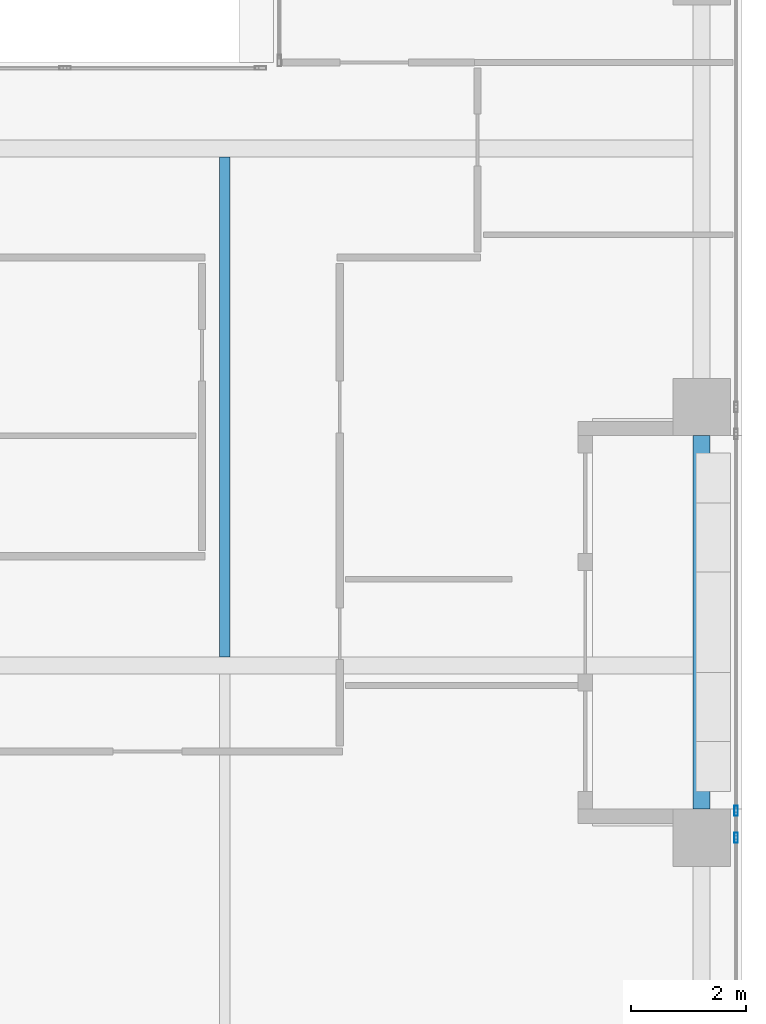
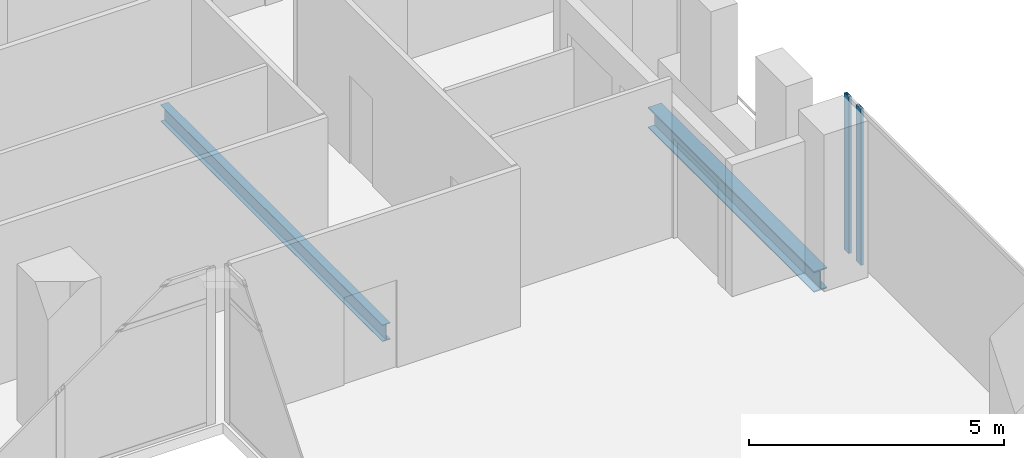
# One storey, part 16 of 38: 2 beams, 2 members, 1 element without a shape of its own.
"""IFC4 building model written with IfcOpenShell, lengths in metres."""

from ifc_helpers import new_model, si_unit, direction, frame, origin, origin_2d, place, context, subcontext, project, spatial, hollow_rectangle, i_section, extrude, source, transform, mapped, material, material_profile, profile_set, type_object, element, aggregate, save


model = new_model("IFC4")

# Units and contexts
model_context = context("Model", 3, precision=1e-05, world=origin(), true_north=direction((0.0, 1.0)))
body_context = subcontext(model_context, "Body", "Model", "MODEL_VIEW")
ifc_project = project(units=[si_unit("LENGTHUNIT", "METRE"), si_unit("AREAUNIT", "SQUARE_METRE"), si_unit("VOLUMEUNIT", "CUBIC_METRE"), si_unit("PLANEANGLEUNIT", "RADIAN"), si_unit("MASSUNIT", "GRAM", prefix="KILO")], contexts=[model_context])

# Site, building, storey
site_placement = place(None, origin())
site = spatial("IfcSite", under=ifc_project, at=site_placement, CompositionType="ELEMENT")
building_placement = place(site_placement, origin())
building = spatial("IfcBuilding", under=site, at=building_placement, Name="Khomas Fold Tower", CompositionType="ELEMENT")
storey_placement = place(building_placement, frame((0.0, 0.0, 172.699951171875)))
storey = spatial("IfcBuildingStorey", under=building, at=storey_placement, Name="L37", CompositionType="ELEMENT", Elevation=172.699951171875)

# Beams
ifc_material_1 = material(Name="Steel S355", Category="steel")
ifc_material_profile_1 = material_profile(ifc_material_1, i_section(OverallWidth=0.179931640625, OverallDepth=0.39990234375, WebThickness=0.008544921875, FlangeThickness=0.013427734375, at=origin_2d()), Name="IPE 400")
ifc_profile_set_1 = profile_set([ifc_material_profile_1], Name="Steel S355")
beam_type_1 = type_object("IfcBeamType", Name="IPE 400 beam JB3", PredefinedType="BEAM", material=ifc_profile_set_1)
shared_shape_1 = source(origin(), body_context, "Body", "SweptSolid", [
    extrude(i_section(OverallWidth=0.179931640625, OverallDepth=0.39990234375, WebThickness=0.008544921875, FlangeThickness=0.013427734375, at=origin_2d()), origin(), (0.0, 0.0, 1.0), 8.7001953125),
])
beam_1_placement = place(storey_placement, frame((42.0, 22.64990234375, -0.449951171875), z_axis=(0.0, 1.0, 0.0), x_axis=(-1.0, 0.0, 0.0)))
element("IfcBeam", 1, at=beam_1_placement, inside=storey, type_object=beam_type_1, Name="JB3", PredefinedType="BEAM", context=body_context, shape_type="MappedRepresentation", body=[
    mapped(shared_shape_1, transform((0.0, 0.0, 0.0))),
])
ifc_material_2 = material(Name="Steel S355", Category="steel")
ifc_material_profile_2 = material_profile(ifc_material_2, i_section(OverallWidth=0.300048828125, OverallDepth=0.5, WebThickness=0.014404296875, FlangeThickness=0.028076171875, at=origin_2d()), Name="HE 500 B")
ifc_profile_set_2 = profile_set([ifc_material_profile_2], Name="Steel S355")
beam_type_2 = type_object("IfcBeamType", Name="HE 500 B spandrel SB3", PredefinedType="SPANDREL", material=ifc_profile_set_2)
shared_shape_2 = source(origin(), body_context, "Body", "SweptSolid", [
    extrude(i_section(OverallWidth=0.300048828125, OverallDepth=0.5, WebThickness=0.014404296875, FlangeThickness=0.028076171875, at=origin_2d()), origin(), (0.0, 0.0, 1.0), 6.5),
])
beam_2_placement = place(storey_placement, frame((50.300048828125, 20.0, -0.5), z_axis=(0.0, 1.0, 0.0), x_axis=(-1.0, 0.0, 0.0)))
element("IfcBeam", 2, at=beam_2_placement, inside=storey, type_object=beam_type_2, Name="SB3", PredefinedType="SPANDREL", context=body_context, shape_type="MappedRepresentation", body=[
    mapped(shared_shape_2, transform((0.0, 0.0, 0.0))),
])

# Curtain wall, members
ifc_material_3 = material(Name="Aluminium framed double glazing", Category="aluminium")
curtain_wall_type = type_object("IfcCurtainWallType", Name="SK-Unitised clear-glass wall, office floors CW2", PredefinedType="NOTDEFINED", material=ifc_material_3)
curtain_wall_placement = place(storey_placement, origin())
curtain_wall = element("IfcCurtainWall", 3, at=curtain_wall_placement, inside=storey, type_object=curtain_wall_type, Name="CW2 run L37 08-0", PredefinedType="NOTDEFINED")
ifc_material_4 = material(Name="Aluminium", Category="aluminium")
ifc_material_profile_3 = material_profile(ifc_material_4, hollow_rectangle(XDim=0.06005859375, YDim=0.179931640625, WallThickness=0.00390625, at=origin_2d()), Name="SK-Unitised clear-glass wall, office floors mullion CW2-M")
ifc_profile_set_3 = profile_set([ifc_material_profile_3], Name="Aluminium")
member_type = type_object("IfcMemberType", Name="SK-Unitised clear-glass wall, office floors mullion CW2-M", PredefinedType="MULLION", material=ifc_profile_set_3)
shared_shape_3 = source(origin(), body_context, "Body", "SweptSolid", [
    extrude(hollow_rectangle(XDim=0.06005859375, YDim=0.179931640625, WallThickness=0.00390625, at=origin_2d()), origin(), (0.0, 0.0, 1.0), 3.75),
])
member_1_placement = place(storey_placement, frame((50.89990234375, 19.5, 0.0), z_axis=(0.0, 0.0, 1.0), x_axis=(-1.0, 0.0, 0.0)))
member_1 = element("IfcMember", 4, at=member_1_placement, type_object=member_type, Name="CW2 mullion 4", PredefinedType="MULLION", context=body_context, shape_type="MappedRepresentation", body=[
    mapped(shared_shape_3, transform((0.0, 0.0, 0.0))),
])
member_2_placement = place(storey_placement, frame((50.89990234375, 19.969970703125, 0.0), z_axis=(0.0, 0.0, 1.0), x_axis=(-1.0, 0.0, 0.0)))
member_2 = element("IfcMember", 5, at=member_2_placement, type_object=member_type, Name="CW2 mullion 5", PredefinedType="MULLION", context=body_context, shape_type="MappedRepresentation", body=[
    mapped(shared_shape_3, transform((0.0, 0.0, 0.0))),
])
aggregate(curtain_wall, [member_1, member_2])

save(model, "model.ifc")
